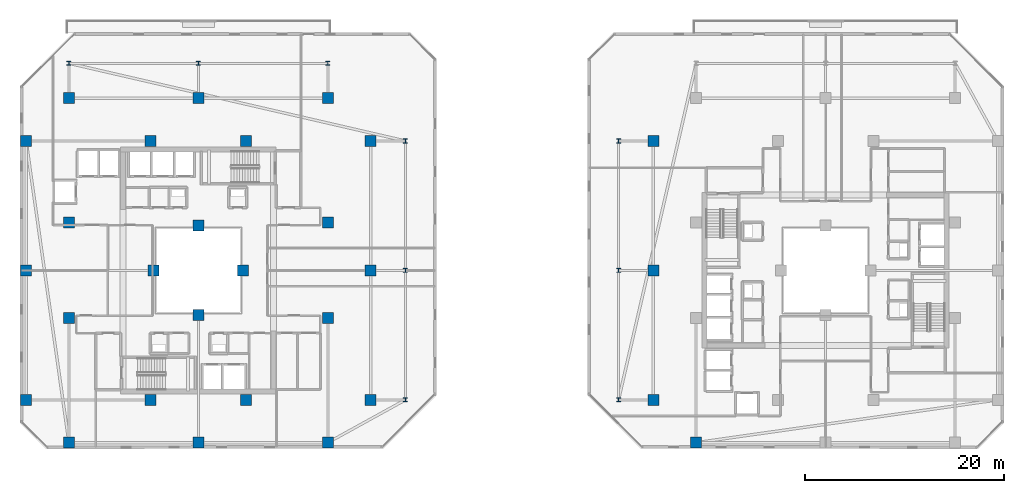
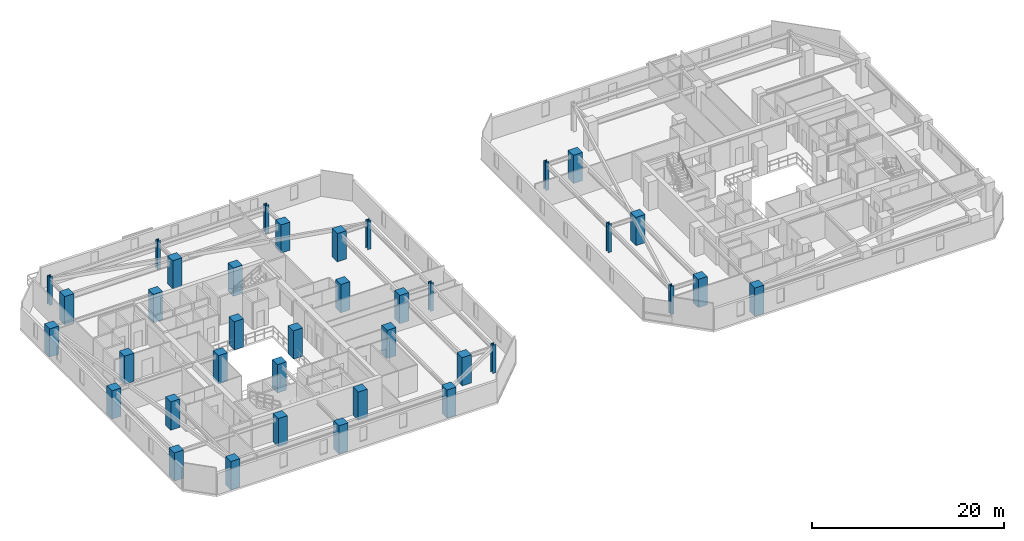
# One storey, part 1 of 33: 37 columns.
"""IFC4 building model written with IfcOpenShell, lengths in metres."""

from ifc_helpers import new_model, si_unit, direction, frame, origin, origin_2d, place, context, subcontext, project, spatial, rectangle, i_section, extrude, material, material_profile, profile_set, type_object, element, save


model = new_model("IFC4")

# Units and contexts
model_context = context("Model", 3, precision=1e-05, world=origin(), true_north=direction((0.0, 1.0)))
body_context = subcontext(model_context, "Body", "Model", "MODEL_VIEW")
ifc_project = project(units=[si_unit("LENGTHUNIT", "METRE"), si_unit("AREAUNIT", "SQUARE_METRE"), si_unit("VOLUMEUNIT", "CUBIC_METRE"), si_unit("PLANEANGLEUNIT", "RADIAN"), si_unit("MASSUNIT", "GRAM", prefix="KILO")], contexts=[model_context])

# Site, building, storey
site_placement = place(None, origin())
site = spatial("IfcSite", under=ifc_project, at=site_placement, CompositionType="ELEMENT")
building_placement = place(site_placement, origin())
building = spatial("IfcBuilding", under=site, at=building_placement, Name="Thornwick Lancets Civic Towers", CompositionType="ELEMENT")
storey_placement = place(building_placement, frame((0.0, 0.0, 185.699951171875)))
storey = spatial("IfcBuildingStorey", under=building, at=storey_placement, Name="L49", CompositionType="ELEMENT", Elevation=185.699951171875)

# Columns
ifc_material_1 = material(Name="Concrete C50/60", Category="concrete")
ifc_material_profile_1 = material_profile(ifc_material_1, rectangle(XDim=1.10009765625, YDim=1.10009765625, at=origin_2d()), Name="RC 1100x1100")
ifc_profile_set_1 = profile_set([ifc_material_profile_1], Name="Concrete C50/60")
column_type_1 = type_object("IfcColumnType", Name="COL_RC_1100", PredefinedType="COLUMN", material=ifc_profile_set_1)
for number, where, z_axis, x_axis, name in (
    (1, (12.5, 9.699951171875, 0.0), (0.0, 0.0, 1.0), (1.0, 0.0, 0.0), "L49 Spine Mega-Column A01"),
    (2, (25.5, 9.699951171875, 0.0), (0.0, 0.0, 1.0), (1.0, 0.0, 0.0), "L49 Spine Mega-Column A02"),
    (3, (38.5, 9.699951171875, 0.0), (0.0, 0.0, 1.0), (1.0, 0.0, 0.0), "L49 Spine Mega-Column A03"),
    (4, (42.800048828125, 14.0, 0.0), (0.0, 0.0, 1.0), (1.0, 0.0, 0.0), "L49 Spine Mega-Column A04"),
    (5, (42.800048828125, 27.0, 0.0), (0.0, 0.0, 1.0), (1.0, 0.0, 0.0), "L49 Spine Mega-Column A05"),
    (6, (42.800048828125, 40.0, 0.0), (0.0, 0.0, 1.0), (1.0, 0.0, 0.0), "L49 Spine Mega-Column A06"),
    (7, (12.5, 44.300048828125, 0.0), (0.0, 0.0, 1.0), (1.0, 0.0, 0.0), "L49 Spine Mega-Column A07"),
    (8, (25.5, 44.300048828125, 0.0), (0.0, 0.0, 1.0), (1.0, 0.0, 0.0), "L49 Spine Mega-Column A08"),
    (9, (38.5, 44.300048828125, 0.0), (0.0, 0.0, 1.0), (1.0, 0.0, 0.0), "L49 Spine Mega-Column A09"),
    (10, (8.199951171875, 14.0, 0.0), (0.0, 0.0, 1.0), (1.0, 0.0, 0.0), "L49 Spine Mega-Column A10"),
    (11, (8.199951171875, 27.0, 0.0), (0.0, 0.0, 1.0), (1.0, 0.0, 0.0), "L49 Spine Mega-Column A11"),
    (12, (8.199951171875, 40.0, 0.0), (0.0, 0.0, 1.0), (1.0, 0.0, 0.0), "L49 Spine Mega-Column A12"),
    (13, (12.5, 22.199951171875, 0.0), (0.0, 0.0, 1.0), (1.0, 0.0, 0.0), "L49 Spine Mega-Column A13"),
    (14, (38.5, 22.199951171875, 0.0), (0.0, 0.0, 1.0), (1.0, 0.0, 0.0), "L49 Spine Mega-Column A14"),
    (15, (12.5, 31.800048828125, 0.0), (0.0, 0.0, 1.0), (1.0, 0.0, 0.0), "L49 Spine Mega-Column A15"),
    (16, (38.5, 31.800048828125, 0.0), (0.0, 0.0, 1.0), (1.0, 0.0, 0.0), "L49 Spine Mega-Column A16"),
    (17, (20.699951171875, 14.0, 0.0), (0.0, 0.0, 1.0), (1.0, 0.0, 0.0), "L49 Spine Mega-Column A17"),
    (18, (30.300048828125, 14.0, 0.0), (0.0, 0.0, 1.0), (1.0, 0.0, 0.0), "L49 Spine Mega-Column A18"),
    (19, (20.699951171875, 40.0, 0.0), (0.0, 0.0, 1.0), (1.0, 0.0, 0.0), "L49 Spine Mega-Column A19"),
    (20, (30.300048828125, 40.0, 0.0), (0.0, 0.0, 1.0), (1.0, 0.0, 0.0), "L49 Spine Mega-Column A20"),
    (21, (25.5, 22.5, 0.0), (0.0, 0.0, 1.0), (1.0, 0.0, 0.0), "L49 Spine Mega-Column A21"),
    (22, (25.5, 31.5, 0.0), (0.0, 0.0, 1.0), (1.0, 0.0, 0.0), "L49 Spine Mega-Column A22"),
    (23, (21.0, 27.0, 0.0), (0.0, 0.0, 1.0), (1.0, 0.0, 0.0), "L49 Spine Mega-Column A23"),
    (24, (30.0, 27.0, 0.0), (0.0, 0.0, 1.0), (1.0, 0.0, 0.0), "L49 Spine Mega-Column A24"),
    (25, (71.199951171875, 14.0, 0.0), (0.0, 0.0, 1.0), (1.0, 0.0, 0.0), "L49 Spine Mega-Column B07"),
    (26, (71.199951171875, 27.0, 0.0), (0.0, 0.0, 1.0), (1.0, 0.0, 0.0), "L49 Spine Mega-Column B08"),
    (27, (71.199951171875, 40.0, 0.0), (0.0, 0.0, 1.0), (1.0, 0.0, 0.0), "L49 Spine Mega-Column B09"),
    (28, (75.5, 9.699951171875, 0.0), (0.0, 0.0, 1.0), (1.0, 0.0, 0.0), "L49 Spine Mega-Column B12"),
):
    element("IfcColumn", number, at=place(storey_placement, frame(where, z_axis=z_axis, x_axis=x_axis)), inside=storey, type_object=column_type_1, Name=name, PredefinedType="COLUMN", context=body_context, shape_type="SweptSolid", body=[
        extrude(rectangle(XDim=1.10009765625, YDim=1.10009765625, at=origin_2d()), origin(), (0.0, 0.0, 1.0), 3.60009765625),
    ])
ifc_material_2 = material(Name="Steel S460M", Category="steel")
ifc_material_profile_2 = material_profile(ifc_material_2, i_section(OverallWidth=0.406982421875, OverallDepth=0.4189453125, WebThickness=0.030517578125, FlangeThickness=0.04931640625, FilletRadius=0.01513671875, at=origin_2d()), Name="UKC 356x406x393")
ifc_profile_set_2 = profile_set([ifc_material_profile_2], Name="Steel S460M")
column_type_2 = type_object("IfcColumnType", Name="COL_UKC_393", PredefinedType="COLUMN", material=ifc_profile_set_2)
for number, where, z_axis, x_axis, name in (
    (29, (46.300048828125, 14.0, 0.0), (0.0, 0.0, 1.0), (1.0, 0.0, 0.0), "L49 Block Perimeter Column A04"),
    (30, (46.300048828125, 27.0, 0.0), (0.0, 0.0, 1.0), (1.0, 0.0, 0.0), "L49 Block Perimeter Column A05"),
    (31, (46.300048828125, 40.0, 0.0), (0.0, 0.0, 1.0), (1.0, 0.0, 0.0), "L49 Block Perimeter Column A06"),
    (32, (12.5, 47.800048828125, 0.0), (0.0, 0.0, 1.0), (1.0, 0.0, 0.0), "L49 Block Perimeter Column A07"),
    (33, (25.5, 47.800048828125, 0.0), (0.0, 0.0, 1.0), (1.0, 0.0, 0.0), "L49 Block Perimeter Column A08"),
    (34, (38.5, 47.800048828125, 0.0), (0.0, 0.0, 1.0), (1.0, 0.0, 0.0), "L49 Block Perimeter Column A09"),
    (35, (67.699951171875, 14.0, 0.0), (0.0, 0.0, 1.0), (1.0, 0.0, 0.0), "L49 Block Perimeter Column B07"),
    (36, (67.699951171875, 27.0, 0.0), (0.0, 0.0, 1.0), (1.0, 0.0, 0.0), "L49 Block Perimeter Column B08"),
    (37, (67.699951171875, 40.0, 0.0), (0.0, 0.0, 1.0), (1.0, 0.0, 0.0), "L49 Block Perimeter Column B09"),
):
    element("IfcColumn", number, at=place(storey_placement, frame(where, z_axis=z_axis, x_axis=x_axis)), inside=storey, type_object=column_type_2, Name=name, PredefinedType="COLUMN", context=body_context, shape_type="SweptSolid", body=[
        extrude(i_section(OverallWidth=0.406982421875, OverallDepth=0.4189453125, WebThickness=0.030517578125, FlangeThickness=0.04931640625, FilletRadius=0.01513671875, at=origin_2d()), origin(), (0.0, 0.0, 1.0), 3.60009765625),
    ])

save(model, "model.ifc")
